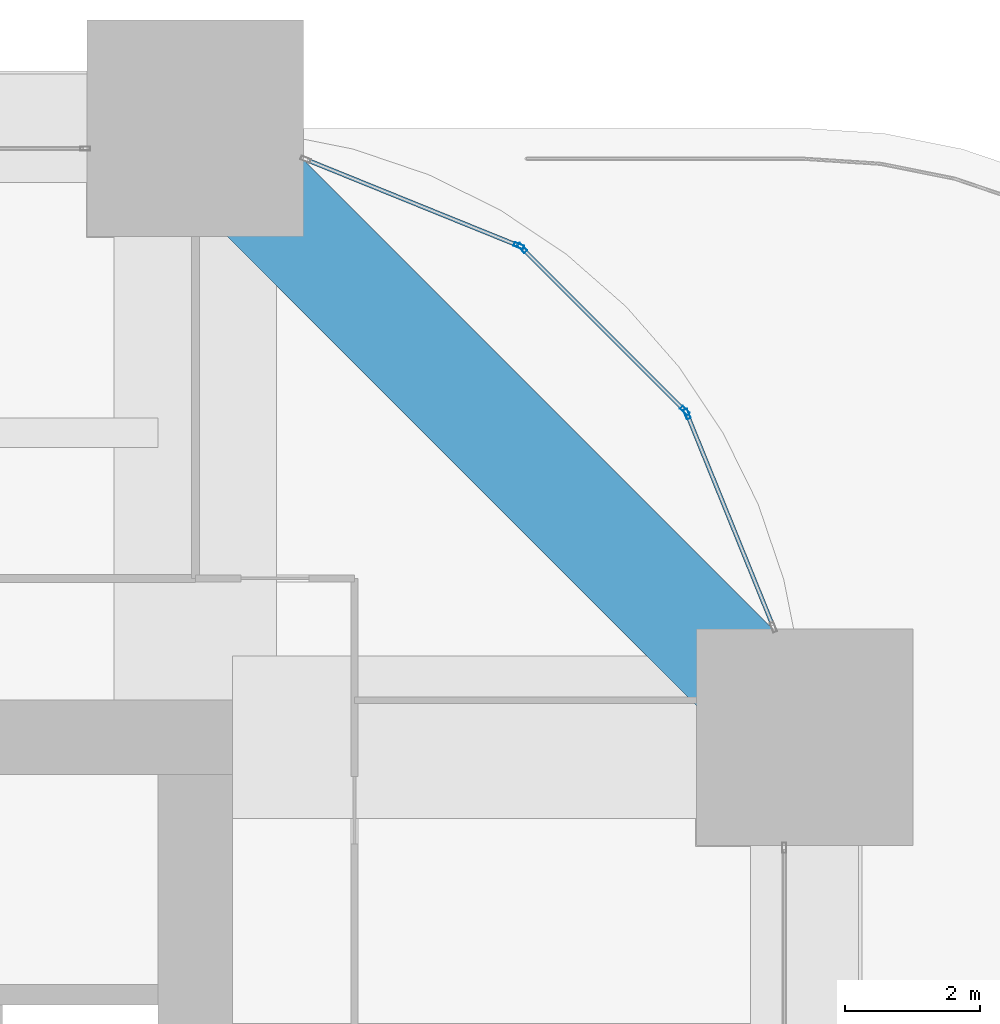
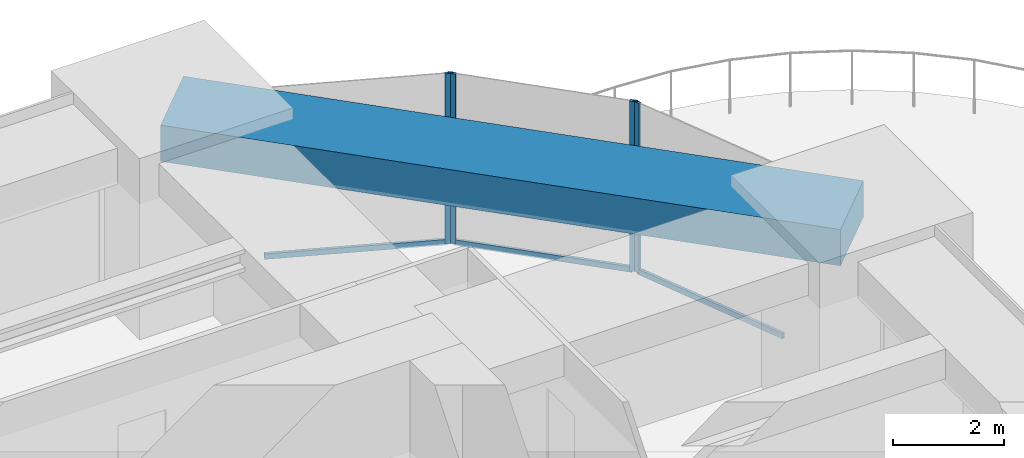
# One storey, part 29 of 35: 7 members, 1 beam, 3 elements without a shape of their own.
"""IFC4 building model written with IfcOpenShell, lengths in metres."""

from ifc_helpers import new_model, si_unit, direction, frame, origin, origin_2d, place, context, subcontext, project, spatial, rectangle, hollow_rectangle, extrude, material, material_profile, profile_set, type_object, element, aggregate, save


model = new_model("IFC4")

# Units and contexts
model_context = context("Model", 3, precision=1e-05, world=origin(), true_north=direction((0.0, 1.0)))
body_context = subcontext(model_context, "Body", "Model", "MODEL_VIEW")
ifc_project = project(units=[si_unit("LENGTHUNIT", "METRE"), si_unit("AREAUNIT", "SQUARE_METRE"), si_unit("VOLUMEUNIT", "CUBIC_METRE"), si_unit("PLANEANGLEUNIT", "RADIAN"), si_unit("MASSUNIT", "GRAM", prefix="KILO")], contexts=[model_context])

# Site, building, storey
site_placement = place(None, origin())
site = spatial("IfcSite", under=ifc_project, at=site_placement, CompositionType="ELEMENT")
building_placement = place(site_placement, origin())
building = spatial("IfcBuilding", under=site, at=building_placement, Name="Zorevar Civic Tower", CompositionType="ELEMENT")
storey_placement = place(building_placement, frame((0.0, 0.0, 162.199951171875)))
storey = spatial("IfcBuildingStorey", under=building, at=storey_placement, Name="L39", CompositionType="ELEMENT", Elevation=162.199951171875)

# Curtain wall, member
ifc_material_1 = material(Name="Dark grey solar-control glass in black aluminium frame", Category="aluminium")
curtain_wall_type = type_object("IfcCurtainWallType", Name="Curtain wall CW4 high zone", PredefinedType="NOTDEFINED", material=ifc_material_1)
curtain_wall_1_placement = place(storey_placement, origin())
curtain_wall_1 = element("IfcCurtainWall", 1, at=curtain_wall_1_placement, inside=storey, type_object=curtain_wall_type, Name="CW4 L39", PredefinedType="NOTDEFINED")
ifc_material_2 = material(Name="Aluminium, black anodised", Category="aluminium")
ifc_material_profile_1 = material_profile(ifc_material_2, hollow_rectangle(XDim=0.06005859375, YDim=0.14990234375, WallThickness=0.00390625, at=origin_2d()), Name="AL 150x60x4")
ifc_profile_set_1 = profile_set([ifc_material_profile_1], Name="Aluminium, black anodised")
member_type_1 = type_object("IfcMemberType", Name="CW4 mullion AL 150x60x4", PredefinedType="MULLION", material=ifc_profile_set_1)
member_1_placement = place(storey_placement, frame((52.263427734375, 40.778076171875, 0.0), z_axis=(0.0, 0.0, 1.0), x_axis=(-0.926761540227, -0.375650166453, 0.0)))
member_1 = element("IfcMember", 2, at=member_1_placement, type_object=member_type_1, Name="CW4 mullion 2", PredefinedType="MULLION", context=body_context, shape_type="SweptSolid", body=[
    extrude(hollow_rectangle(XDim=0.06005859375, YDim=0.14990234375, WallThickness=0.00390625, at=origin_2d()), origin(), (0.0, 0.0, 1.0), 3.75),
])

# Curtain wall, members
curtain_wall_2_placement = place(storey_placement, origin())
curtain_wall_2 = element("IfcCurtainWall", 3, at=curtain_wall_2_placement, inside=storey, type_object=curtain_wall_type, Name="CW4 L39", PredefinedType="NOTDEFINED")
member_2_placement = place(storey_placement, frame((52.23095703125, 40.8271484375, 0.0), z_axis=(0.0, 0.0, 1.0), x_axis=(-0.707106781187, -0.707106781187, 0.0)))
member_2 = element("IfcMember", 4, at=member_2_placement, type_object=member_type_1, Name="CW4 mullion 1", PredefinedType="MULLION", context=body_context, shape_type="SweptSolid", body=[
    extrude(hollow_rectangle(XDim=0.06005859375, YDim=0.14990234375, WallThickness=0.00390625, at=origin_2d()), origin(), (0.0, 0.0, 1.0), 3.75),
])
member_3_placement = place(storey_placement, frame((49.8271484375, 43.23095703125, 0.0), z_axis=(0.0, 0.0, 1.0), x_axis=(-0.707106781187, -0.707106781187, 0.0)))
member_3 = element("IfcMember", 5, at=member_3_placement, type_object=member_type_1, Name="CW4 mullion 2", PredefinedType="MULLION", context=body_context, shape_type="SweptSolid", body=[
    extrude(hollow_rectangle(XDim=0.06005859375, YDim=0.14990234375, WallThickness=0.00390625, at=origin_2d()), origin(), (0.0, 0.0, 1.0), 3.75),
])

# Curtain wall, member
curtain_wall_3_placement = place(storey_placement, origin())
curtain_wall_3 = element("IfcCurtainWall", 6, at=curtain_wall_3_placement, inside=storey, type_object=curtain_wall_type, Name="CW4 L39", PredefinedType="NOTDEFINED")
member_4_placement = place(storey_placement, frame((49.778076171875, 43.263427734375, 0.0), z_axis=(0.0, 0.0, 1.0), x_axis=(-0.375650166453, -0.926761540227, 0.0)))
member_4 = element("IfcMember", 7, at=member_4_placement, type_object=member_type_1, Name="CW4 mullion 1", PredefinedType="MULLION", context=body_context, shape_type="SweptSolid", body=[
    extrude(hollow_rectangle(XDim=0.06005859375, YDim=0.14990234375, WallThickness=0.00390625, at=origin_2d()), origin(), (0.0, 0.0, 1.0), 3.75),
])

# Member
ifc_material_3 = material(Name="Aluminium, black anodised", Category="aluminium")
ifc_material_profile_2 = material_profile(ifc_material_3, hollow_rectangle(XDim=0.06005859375, YDim=0.1201171875, WallThickness=0.0029296875, at=origin_2d()), Name="AL 120x60x3")
ifc_profile_set_2 = profile_set([ifc_material_profile_2], Name="Aluminium, black anodised")
member_type_2 = type_object("IfcMemberType", Name="CW4 transom AL 120x60x3", PredefinedType="USERDEFINED", material=ifc_profile_set_2)
member_5_placement = place(storey_placement, frame((53.529052734375, 37.655517578125, 0.030029296875), z_axis=(-0.375647407638, 0.92676265847, 0.0), x_axis=(-0.92676265847, -0.375647407638, 0.0)))
member_5 = element("IfcMember", 8, at=member_5_placement, type_object=member_type_2, Name="CW4 sill transom", ObjectType="TRANSOM", PredefinedType="USERDEFINED", context=body_context, shape_type="SweptSolid", body=[
    extrude(hollow_rectangle(XDim=0.06005859375, YDim=0.1201171875, WallThickness=0.0029296875, at=origin_2d()), origin(), (0.0, 0.0, 1.0), 3.33935546875),
])

aggregate(curtain_wall_1, [member_1, member_5])

member_6_placement = place(storey_placement, frame((52.209716796875, 40.848388671875, 0.030029296875), z_axis=(-0.707106781187, 0.707106781187, 0.0), x_axis=(-0.707106781187, -0.707106781187, 0.0)))
member_6 = element("IfcMember", 9, at=member_6_placement, type_object=member_type_2, Name="CW4 sill transom", ObjectType="TRANSOM", PredefinedType="USERDEFINED", context=body_context, shape_type="SweptSolid", body=[
    extrude(hollow_rectangle(XDim=0.06005859375, YDim=0.1201171875, WallThickness=0.0029296875, at=origin_2d()), origin(), (0.0, 0.0, 1.0), 3.33935546875),
])

aggregate(curtain_wall_2, [member_2, member_3, member_6])

member_7_placement = place(storey_placement, frame((49.750244140625, 43.274658203125, 0.030029296875), z_axis=(-0.92676265847, 0.375647407638, 0.0), x_axis=(-0.375647407638, -0.92676265847, 0.0)))
member_7 = element("IfcMember", 10, at=member_7_placement, type_object=member_type_2, Name="CW4 sill transom", ObjectType="TRANSOM", PredefinedType="USERDEFINED", context=body_context, shape_type="SweptSolid", body=[
    extrude(hollow_rectangle(XDim=0.06005859375, YDim=0.1201171875, WallThickness=0.0029296875, at=origin_2d()), origin(), (0.0, 0.0, 1.0), 3.33935546875),
])

aggregate(curtain_wall_3, [member_4, member_7])

# Beam
ifc_material_4 = material(Name="Concrete C50/60", Category="concrete")
ifc_material_profile_3 = material_profile(ifc_material_4, rectangle(XDim=1.60009765625, YDim=0.800048828125, at=origin_2d()), Name="RC 1600x800")
ifc_profile_set_3 = profile_set([ifc_material_profile_3], Name="Concrete C50/60")
beam_type = type_object("IfcBeamType", Name="Edge beam RC 1600x800", PredefinedType="SPANDREL", material=ifc_profile_set_3)
beam_placement = place(storey_placement, frame((54.0, 36.0, 3.35009765625), z_axis=(-0.707106781187, 0.707106781187, 0.0), x_axis=(-0.707106781187, -0.707106781187, 0.0)))
element("IfcBeam", 11, at=beam_placement, inside=storey, type_object=beam_type, Name="Corner edge beam L40", PredefinedType="SPANDREL", context=body_context, shape_type="SweptSolid", body=[
    extrude(rectangle(XDim=1.60009765625, YDim=0.800048828125, at=origin_2d()), origin(), (0.0, 0.0, 1.0), 12.72802734375),
])

save(model, "model.ifc")
